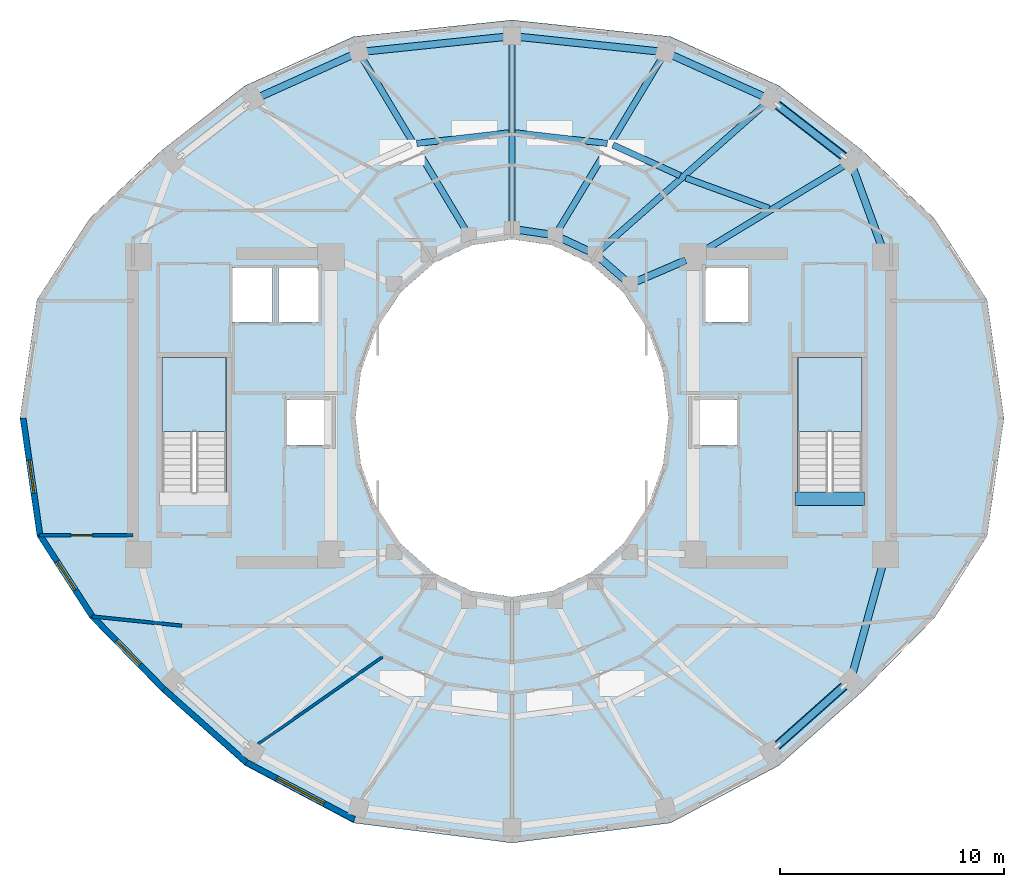
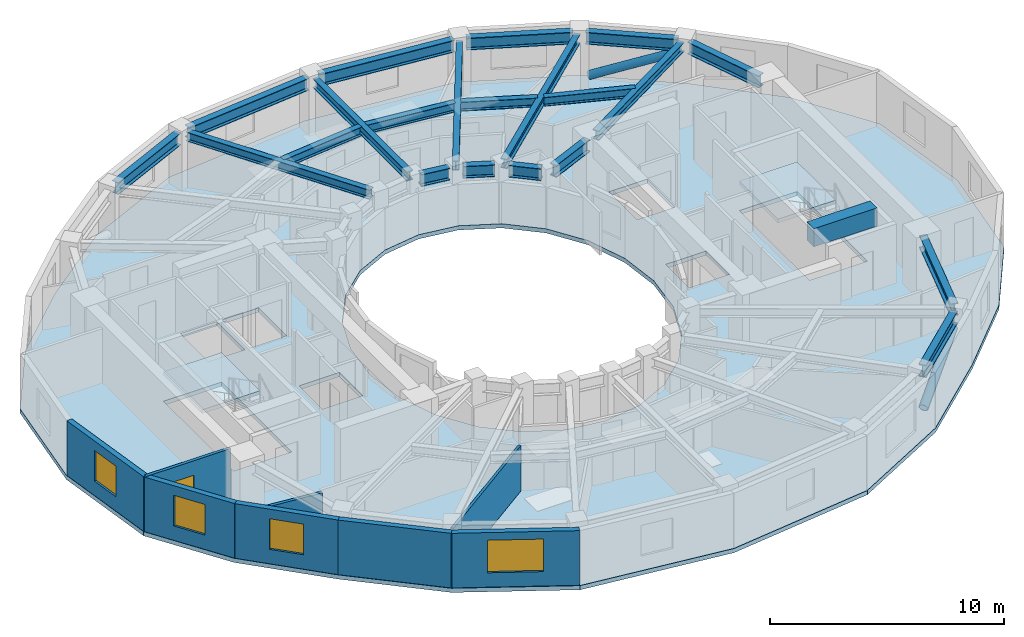
# One storey, part 2 of 9: 22 beams, 8 walls, 4 windows, 3 slabs, 2 members, 1 door, 5 openings, 2 elements without a shape of their own.
"""IFC4 building model written with IfcOpenShell, lengths in metres."""

from ifc_helpers import new_model, si_unit, direction, frame, frame_2d, origin, origin_2d, place, context, subcontext, project, spatial, polyline, rectangle, hollow_circle, i_section, outline, extrude, material, layer, layer_set, material_profile, profile_set, type_object, element, fill, aggregate, save


model = new_model("IFC4")

# Units and contexts
model_context = context("Model", 3, precision=1e-05, world=origin(), true_north=direction((0.0, 1.0)))
body_context = subcontext(model_context, "Body", "Model", "MODEL_VIEW")
ifc_project = project(units=[si_unit("LENGTHUNIT", "METRE"), si_unit("AREAUNIT", "SQUARE_METRE"), si_unit("VOLUMEUNIT", "CUBIC_METRE"), si_unit("PLANEANGLEUNIT", "RADIAN"), si_unit("MASSUNIT", "GRAM", prefix="KILO")], contexts=[model_context])

# Site, building, storey
site_placement = place(None, origin())
site = spatial("IfcSite", under=ifc_project, at=site_placement, CompositionType="ELEMENT")
building_placement = place(site_placement, origin())
building = spatial("IfcBuilding", under=site, at=building_placement, Name="Solvane Sanctuary Tower", CompositionType="ELEMENT")
storey_placement = place(building_placement, frame((0.0, 0.0, 232.60009765625)))
storey = spatial("IfcBuildingStorey", under=building, at=storey_placement, Name="L71", CompositionType="ELEMENT", Elevation=232.60009765625)

# Beams
ifc_material_1 = material(Name="Concrete C70/85", Category="concrete")
ifc_material_profile_1 = material_profile(ifc_material_1, rectangle(XDim=0.60009765625, YDim=0.949951171875, at=origin_2d()), Name="RC600X950")
ifc_profile_set_1 = profile_set([ifc_material_profile_1], Name="Concrete C70/85")
beam_type_1 = type_object("IfcBeamType", Name="Beam B-COUPLE RC600X950", PredefinedType="LINTEL", material=ifc_profile_set_1)
beam_1_placement = place(storey_placement, frame((44.64990234375, 19.399169921875, 2.625), z_axis=(1.0, 0.0, 0.0), x_axis=(0.0, 1.0, 0.0)))
element("IfcBeam", 1, at=beam_1_placement, inside=storey, type_object=beam_type_1, Name="L71 ST-2 Stair Floor Landing Trimmer", PredefinedType="LINTEL", context=body_context, shape_type="SweptSolid", body=[
    extrude(rectangle(XDim=0.60009765625, YDim=0.949951171875, at=origin_2d()), origin(), (0.0, 0.0, 1.0), 3.1201171875),
])
ifc_material_2 = material(Name="Steel ASTM A992 Grade 50", Category="steel")
ifc_material_profile_2 = material_profile(ifc_material_2, i_section(OverallWidth=0.282958984375, OverallDepth=0.471923828125, WebThickness=0.013671875, FlangeThickness=0.022216796875, FilletRadius=0.013916015625, at=origin_2d()), Name="W18X97")
ifc_profile_set_2 = profile_set([ifc_material_profile_2], Name="Steel ASTM A992 Grade 50")
beam_type_2 = type_object("IfcBeamType", Name="Beam B-RAD-Z4 W18X97", PredefinedType="JOIST", material=ifc_profile_set_2)
beam_2_placement = place(storey_placement, frame((40.407958984375, 30.38623046875, 2.641845703125), z_axis=(0.855612120123, 0.517617522789, 0.0), x_axis=(-0.517617522789, 0.855612120123, 0.0)))
element("IfcBeam", 2, at=beam_2_placement, inside=storey, type_object=beam_type_2, Name="L71 Radial Composite Floor Beam 01", PredefinedType="JOIST", context=body_context, shape_type="SweptSolid", body=[
    extrude(i_section(OverallWidth=0.282958984375, OverallDepth=0.471923828125, WebThickness=0.013671875, FlangeThickness=0.022216796875, FilletRadius=0.013916015625, at=origin_2d()), origin(), (0.0, 0.0, 1.0), 7.59375),
])
beam_3_placement = place(storey_placement, frame((35.939697265625, 30.511962890625, 2.641845703125), z_axis=(0.749352461353, 0.662171343886, 0.0), x_axis=(-0.662171343886, 0.749352461353, 0.0)))
element("IfcBeam", 3, at=beam_3_placement, inside=storey, type_object=beam_type_2, Name="L71 Radial Composite Floor Beam 02", PredefinedType="JOIST", context=body_context, shape_type="SweptSolid", body=[
    extrude(i_section(OverallWidth=0.282958984375, OverallDepth=0.471923828125, WebThickness=0.013671875, FlangeThickness=0.022216796875, FilletRadius=0.013916015625, at=origin_2d()), origin(), (0.0, 0.0, 1.0), 9.882568359375),
])
beam_4_placement = place(storey_placement, frame((34.0751953125, 31.41162109375, 2.641845703125), z_axis=(0.515337473432, 0.85698733274, 0.0), x_axis=(-0.85698733274, 0.515337473432, 0.0)))
element("IfcBeam", 4, at=beam_4_placement, inside=storey, type_object=beam_type_2, Name="L71 Radial Composite Floor Beam 03", PredefinedType="JOIST", context=body_context, shape_type="SweptSolid", body=[
    extrude(i_section(OverallWidth=0.282958984375, OverallDepth=0.471923828125, WebThickness=0.013671875, FlangeThickness=0.022216796875, FilletRadius=0.013916015625, at=origin_2d()), origin(), (0.0, 0.0, 1.0), 8.99755859375),
])
beam_5_placement = place(storey_placement, frame((32.0, 31.739990234375, 2.641845703125), z_axis=(0.0, 1.0, 0.0), x_axis=(-1.0, 0.0, 0.0)))
element("IfcBeam", 5, at=beam_5_placement, inside=storey, type_object=beam_type_2, Name="L71 Radial Composite Floor Beam 04", PredefinedType="JOIST", context=body_context, shape_type="SweptSolid", body=[
    extrude(i_section(OverallWidth=0.282958984375, OverallDepth=0.471923828125, WebThickness=0.013671875, FlangeThickness=0.022216796875, FilletRadius=0.013916015625, at=origin_2d()), origin(), (0.0, 0.0, 1.0), 8.06005859375),
])
beam_6_placement = place(storey_placement, frame((29.9248046875, 31.41162109375, 2.641845703125), z_axis=(-0.515337473432, 0.85698733274, 0.0), x_axis=(-0.85698733274, -0.515337473432, 0.0)))
element("IfcBeam", 6, at=beam_6_placement, inside=storey, type_object=beam_type_2, Name="L71 Radial Composite Floor Beam 05", PredefinedType="JOIST", context=body_context, shape_type="SweptSolid", body=[
    extrude(i_section(OverallWidth=0.282958984375, OverallDepth=0.471923828125, WebThickness=0.013671875, FlangeThickness=0.022216796875, FilletRadius=0.013916015625, at=origin_2d()), origin(), (0.0, 0.0, 1.0), 8.99755859375),
])
ifc_material_profile_3 = material_profile(ifc_material_2, i_section(OverallWidth=0.324951171875, OverallDepth=0.615966796875, WebThickness=0.013916015625, FlangeThickness=0.021484375, FilletRadius=0.01611328125, at=origin_2d()), Name="W24X117")
ifc_profile_set_3 = profile_set([ifc_material_profile_3], Name="Steel ASTM A992 Grade 50")
beam_type_3 = type_object("IfcBeamType", Name="Beam B-RING-IN2 W24X117", PredefinedType="BEAM", material=ifc_profile_set_3)
beam_7_placement = place(storey_placement, frame((32.31640625, 31.41259765625, 2.56982421875), z_axis=(0.989056121481, -0.147539786368, 0.0), x_axis=(0.147539786368, 0.989056121481, 0.0)))
element("IfcBeam", 7, at=beam_7_placement, inside=storey, type_object=beam_type_3, Name="L71 Inner Light-Well Ring Beam IC04-IC03", PredefinedType="BEAM", context=body_context, shape_type="SweptSolid", body=[
    extrude(i_section(OverallWidth=0.324951171875, OverallDepth=0.615966796875, WebThickness=0.013916015625, FlangeThickness=0.021484375, FilletRadius=0.01611328125, at=origin_2d()), origin(), (0.0, 0.0, 1.0), 1.312255859375),
])
beam_8_placement = place(storey_placement, frame((34.220458984375, 31.03564453125, 2.56982421875), z_axis=(0.905134542189, -0.425125229241, 0.0), x_axis=(0.425125229241, 0.905134542189, 0.0)))
element("IfcBeam", 8, at=beam_8_placement, inside=storey, type_object=beam_type_3, Name="L71 Inner Light-Well Ring Beam IC03-IC02", PredefinedType="BEAM", context=body_context, shape_type="SweptSolid", body=[
    extrude(i_section(OverallWidth=0.324951171875, OverallDepth=0.615966796875, WebThickness=0.013916015625, FlangeThickness=0.021484375, FilletRadius=0.01611328125, at=origin_2d()), origin(), (0.0, 0.0, 1.0), 1.347900390625),
])
beam_9_placement = place(storey_placement, frame((35.971435546875, 30.116455078125, 2.56982421875), z_axis=(0.754388985763, -0.656427648839, 0.0), x_axis=(0.656427648839, 0.754388985763, 0.0)))
element("IfcBeam", 9, at=beam_9_placement, inside=storey, type_object=beam_type_3, Name="L71 Inner Light-Well Ring Beam IC02-IC01", PredefinedType="BEAM", context=body_context, shape_type="SweptSolid", body=[
    extrude(i_section(OverallWidth=0.324951171875, OverallDepth=0.615966796875, WebThickness=0.013916015625, FlangeThickness=0.021484375, FilletRadius=0.01611328125, at=origin_2d()), origin(), (0.0, 0.0, 1.0), 1.408203125),
])
beam_10_placement = place(storey_placement, frame((37.56884765625, 29.10888671875, 2.56982421875), z_axis=(0.918283854026, 0.395922673554, 0.0), x_axis=(-0.395922673554, 0.918283854026, 0.0)))
element("IfcBeam", 10, at=beam_10_placement, inside=storey, type_object=beam_type_3, Name="L71 Inner Light-Well Ring Beam IC01-CE4", PredefinedType="BEAM", context=body_context, shape_type="SweptSolid", body=[
    extrude(i_section(OverallWidth=0.324951171875, OverallDepth=0.615966796875, WebThickness=0.013916015625, FlangeThickness=0.021484375, FilletRadius=0.01611328125, at=origin_2d()), origin(), (0.0, 0.0, 1.0), 2.396240234375),
])
ifc_material_profile_4 = material_profile(ifc_material_2, i_section(OverallWidth=0.280029296875, OverallDepth=0.462890625, WebThickness=0.0107421875, FlangeThickness=0.017333984375, FilletRadius=0.013916015625, at=origin_2d()), Name="W18X76")
ifc_profile_set_4 = profile_set([ifc_material_profile_4], Name="Steel ASTM A992 Grade 50")
beam_type_4 = type_object("IfcBeamType", Name="Beam B-SEC-JOIST W18X76", PredefinedType="JOIST", material=ifc_profile_set_4)
for number, where, z_axis, x_axis, name in (
    (11, (27.7421875, 35.282470703125, 2.646484375), (0.993510844231, 0.113737427415, 0.0), (-0.113737427415, 0.993510844231, 0.0), "L71 Secondary Circumferential Joist 05-04"),
    (12, (32.135498046875, 35.75439453125, 2.646484375), (0.993510844231, -0.113737427415, 0.0), (0.113737427415, 0.993510844231, 0.0), "L71 Secondary Circumferential Joist 04-03"),
):
    element("IfcBeam", number, at=place(storey_placement, frame(where, z_axis=z_axis, x_axis=x_axis)), inside=storey, type_object=beam_type_4, Name=name, PredefinedType="JOIST", context=body_context, shape_type="SweptSolid", body=[
        extrude(i_section(OverallWidth=0.280029296875, OverallDepth=0.462890625, WebThickness=0.0107421875, FlangeThickness=0.017333984375, FilletRadius=0.013916015625, at=origin_2d()), origin(), (0.0, 0.0, 1.0), 4.149169921875),
    ])
beam_11_placement = place(storey_placement, frame((36.517578125, 35.210205078125, 2.646484375), z_axis=(0.909746959611, -0.415163184156, 0.0), x_axis=(0.415163184156, 0.909746959611, 0.0)))
element("IfcBeam", 13, at=beam_11_placement, inside=storey, type_object=beam_type_4, Name="L71 Secondary Circumferential Joist 03-02", PredefinedType="JOIST", context=body_context, shape_type="SweptSolid", body=[
    extrude(i_section(OverallWidth=0.280029296875, OverallDepth=0.462890625, WebThickness=0.0107421875, FlangeThickness=0.017333984375, FilletRadius=0.013916015625, at=origin_2d()), origin(), (0.0, 0.0, 1.0), 3.29833984375),
])
beam_12_placement = place(storey_placement, frame((39.770751953125, 33.7373046875, 2.646484375), z_axis=(0.939341257695, -0.342983966962, 0.0), x_axis=(0.342983966962, 0.939341257695, 0.0)))
element("IfcBeam", 14, at=beam_12_placement, inside=storey, type_object=beam_type_4, Name="L71 Secondary Circumferential Joist 02-01", PredefinedType="JOIST", context=body_context, shape_type="SweptSolid", body=[
    extrude(i_section(OverallWidth=0.280029296875, OverallDepth=0.462890625, WebThickness=0.0107421875, FlangeThickness=0.017333984375, FilletRadius=0.013916015625, at=origin_2d()), origin(), (0.0, 0.0, 1.0), 3.964111328125),
])
ifc_material_profile_5 = material_profile(ifc_material_2, i_section(OverallWidth=0.327880859375, OverallDepth=0.6279296875, WebThickness=0.0166015625, FlangeThickness=0.027587890625, FilletRadius=0.01611328125, at=origin_2d()), Name="W24X146")
ifc_profile_set_5 = profile_set([ifc_material_profile_5], Name="Steel ASTM A992 Grade 50")
beam_type_5 = type_object("IfcBeamType", Name="Beam B-SPAND-Z3 W24X146", PredefinedType="SPANDREL", material=ifc_profile_set_5)
beam_13_placement = place(storey_placement, frame((20.7001953125, 37.356689453125, 2.56396484375), z_axis=(0.911467646952, 0.411371764418, 0.0), x_axis=(-0.411371764418, 0.911467646952, 0.0)))
element("IfcBeam", 15, at=beam_13_placement, inside=storey, type_object=beam_type_5, Name="L71 Perimeter Spandrel Beam TC06-TC05", PredefinedType="SPANDREL", context=body_context, shape_type="SweptSolid", body=[
    extrude(i_section(OverallWidth=0.327880859375, OverallDepth=0.6279296875, WebThickness=0.0166015625, FlangeThickness=0.027587890625, FilletRadius=0.01611328125, at=origin_2d()), origin(), (0.0, 0.0, 1.0), 4.59521484375),
])
for number, where, z_axis, x_axis, name in (
    (16, (25.42236328125, 39.391357421875, 2.56396484375), (0.994565065885, 0.10411690411, 0.0), (-0.10411690411, 0.994565065885, 0.0), "L71 Perimeter Spandrel Beam TC05-TC04"),
    (17, (32.278564453125, 40.05078125, 2.56396484375), (0.994565065885, -0.10411690411, 0.0), (0.10411690411, 0.994565065885, 0.0), "L71 Perimeter Spandrel Beam TC04-TC03"),
):
    element("IfcBeam", number, at=place(storey_placement, frame(where, z_axis=z_axis, x_axis=x_axis)), inside=storey, type_object=beam_type_5, Name=name, PredefinedType="SPANDREL", context=body_context, shape_type="SweptSolid", body=[
        extrude(i_section(OverallWidth=0.327880859375, OverallDepth=0.6279296875, WebThickness=0.0166015625, FlangeThickness=0.027587890625, FilletRadius=0.01611328125, at=origin_2d()), origin(), (0.0, 0.0, 1.0), 6.33349609375),
    ])
beam_14_placement = place(storey_placement, frame((39.111328125, 39.2470703125, 2.56396484375), z_axis=(0.911467646952, -0.411371764418, 0.0), x_axis=(0.411371764418, 0.911467646952, 0.0)))
element("IfcBeam", 18, at=beam_14_placement, inside=storey, type_object=beam_type_5, Name="L71 Perimeter Spandrel Beam TC03-TC02", PredefinedType="SPANDREL", context=body_context, shape_type="SweptSolid", body=[
    extrude(i_section(OverallWidth=0.327880859375, OverallDepth=0.6279296875, WebThickness=0.0166015625, FlangeThickness=0.027587890625, FilletRadius=0.01611328125, at=origin_2d()), origin(), (0.0, 0.0, 1.0), 4.59521484375),
])
beam_15_placement = place(storey_placement, frame((43.776611328125, 37.070068359375, 2.56396484375), z_axis=(0.79064516309, -0.612274632891, 0.0), x_axis=(0.612274632891, 0.79064516309, 0.0)))
element("IfcBeam", 19, at=beam_15_placement, inside=storey, type_object=beam_type_5, Name="L71 Perimeter Spandrel Beam TC02-TC01", PredefinedType="SPANDREL", context=body_context, shape_type="SweptSolid", body=[
    extrude(i_section(OverallWidth=0.327880859375, OverallDepth=0.6279296875, WebThickness=0.0166015625, FlangeThickness=0.027587890625, FilletRadius=0.01611328125, at=origin_2d()), origin(), (0.0, 0.0, 1.0), 3.980224609375),
])
beam_16_placement = place(storey_placement, frame((47.240966796875, 34.19873046875, 2.56396484375), z_axis=(0.34275337431, -0.939425422478, 0.0), x_axis=(0.939425422478, 0.34275337431, 0.0)))
element("IfcBeam", 20, at=beam_16_placement, inside=storey, type_object=beam_type_5, Name="L71 Perimeter Spandrel Beam TC01-CE3", PredefinedType="SPANDREL", context=body_context, shape_type="SweptSolid", body=[
    extrude(i_section(OverallWidth=0.327880859375, OverallDepth=0.6279296875, WebThickness=0.0166015625, FlangeThickness=0.027587890625, FilletRadius=0.01611328125, at=origin_2d()), origin(), (0.0, 0.0, 1.0), 3.976806640625),
])
beam_17_placement = place(storey_placement, frame((43.764404296875, 8.272216796875, 2.56396484375), z_axis=(0.747199825189, 0.664599444205, 0.0), x_axis=(-0.664599444205, 0.747199825189, 0.0)))
element("IfcBeam", 21, at=beam_17_placement, inside=storey, type_object=beam_type_5, Name="L71 Perimeter Spandrel Beam TC13-TC14", PredefinedType="SPANDREL", context=body_context, shape_type="SweptSolid", body=[
    extrude(i_section(OverallWidth=0.327880859375, OverallDepth=0.6279296875, WebThickness=0.0166015625, FlangeThickness=0.027587890625, FilletRadius=0.01611328125, at=origin_2d()), origin(), (0.0, 0.0, 1.0), 4.244384765625),
])
beam_18_placement = place(storey_placement, frame((47.219482421875, 11.549072265625, 2.56396484375), z_axis=(0.266650123869, 0.963793396658, 0.0), x_axis=(-0.963793396658, 0.266650123869, 0.0)))
element("IfcBeam", 22, at=beam_18_placement, inside=storey, type_object=beam_type_5, Name="L71 Perimeter Spandrel Beam TC14-CE2", PredefinedType="SPANDREL", context=body_context, shape_type="SweptSolid", body=[
    extrude(i_section(OverallWidth=0.327880859375, OverallDepth=0.6279296875, WebThickness=0.0166015625, FlangeThickness=0.027587890625, FilletRadius=0.01611328125, at=origin_2d()), origin(), (0.0, 0.0, 1.0), 5.27197265625),
])

# Members
ifc_material_profile_6 = material_profile(ifc_material_2, hollow_circle(Radius=0.202880859375, WallThickness=0.012451171875, at=origin_2d()), Name="CHS406X12.5")
ifc_profile_set_6 = profile_set([ifc_material_profile_6], Name="Steel ASTM A992 Grade 50")
member_type = type_object("IfcMemberType", Name="Member M-TUBE-Z3 CHS406X12.5", PredefinedType="BRACE", material=ifc_profile_set_6)
member_1_placement = place(storey_placement, frame((43.881591796875, 36.988525390625, 0.550048828125), z_axis=(0.731090089768, -0.566107162853, 0.380827993731), x_axis=(0.612242116954, 0.790670342322, 0.0)))
element("IfcMember", 23, at=member_1_placement, inside=storey, type_object=member_type, Name="L71 Perimeter Braced-Tube Diagonal NE", PredefinedType="BRACE", context=body_context, shape_type="SweptSolid", body=[
    extrude(hollow_circle(Radius=0.202880859375, WallThickness=0.012451171875, at=origin_2d()), origin(), (0.0, 0.0, 1.0), 4.017578125),
])
member_2_placement = place(storey_placement, frame((43.8671875, 8.36376953125, 0.54248046875), z_axis=(0.69629863571, 0.619345335379, 0.362738977025), x_axis=(-0.664611503375, 0.747189098945, 0.0)))
element("IfcMember", 24, at=member_2_placement, inside=storey, type_object=member_type, Name="L71 Perimeter Braced-Tube Diagonal SE", PredefinedType="BRACE", context=body_context, shape_type="SweptSolid", body=[
    extrude(hollow_circle(Radius=0.202880859375, WallThickness=0.012451171875, at=origin_2d()), origin(), (0.0, 0.0, 1.0), 4.26708984375),
])

# Stair, slab
ifc_material_3 = material(Name="Concrete C45/55", Category="concrete")
stair_type = type_object("IfcStairType", Name="Stair ST-TOW", PredefinedType="HALF_TURN_STAIR", material=ifc_material_3)
stair_1_placement = place(storey_placement, origin())
stair_1 = element("IfcStair", 25, at=stair_1_placement, inside=storey, type_object=stair_type, Name="L71 Exit Stair ST-1 West Core", PredefinedType="HALF_TURN_STAIR")
ifc_layer_1 = layer(ifc_material_3, 0.199951171875, Name="Concrete C45/55")
ifc_layer_set_1 = layer_set([ifc_layer_1], Name="Concrete C45/55")
slab_type_1 = type_object("IfcSlabType", Name="Slab SL-LAND-180", PredefinedType="LANDING", material=ifc_layer_set_1)
slab_1_placement = place(storey_placement, frame((0.0, 0.0, 1.349853515625)))
slab_1 = element("IfcSlab", 26, at=slab_1_placement, type_object=slab_type_1, Name="ST-1 landing 1", PredefinedType="LANDING", context=body_context, shape_type="SweptSolid", body=[
    extrude(outline(polyline([(19.219970703125, 22.39990234375), (19.219970703125, 25.699951171875), (16.360107421875, 25.699951171875), (16.360107421875, 22.39990234375), (19.219970703125, 22.39990234375)])), origin(), (0.0, 0.0, 1.0), 0.199951171875),
])
aggregate(stair_1, [slab_1])

stair_2_placement = place(storey_placement, origin())
stair_2 = element("IfcStair", 27, at=stair_2_placement, inside=storey, type_object=stair_type, Name="L71 Exit Stair ST-2 East Core", PredefinedType="HALF_TURN_STAIR")
slab_2_placement = place(storey_placement, frame((0.0, 0.0, 1.349853515625)))
slab_2 = element("IfcSlab", 28, at=slab_2_placement, type_object=slab_type_1, Name="ST-2 landing 1", PredefinedType="LANDING", context=body_context, shape_type="SweptSolid", body=[
    extrude(outline(polyline([(47.639892578125, 22.39990234375), (47.639892578125, 25.699951171875), (44.780029296875, 25.699951171875), (44.780029296875, 22.39990234375), (47.639892578125, 22.39990234375)])), origin(), (0.0, 0.0, 1.0), 0.199951171875),
])
aggregate(stair_2, [slab_2])

# Slab
ifc_layer_2 = layer(ifc_material_3, 0.219970703125, Name="Concrete C45/55")
ifc_layer_set_2 = layer_set([ifc_layer_2], Name="Concrete C45/55")
slab_type_2 = type_object("IfcSlabType", Name="Slab SL-TOW-220", PredefinedType="FLOOR", material=ifc_layer_set_2)
slab_3_placement = place(storey_placement, frame((0.0, 0.0, -0.22021484375)))
element("IfcSlab", 29, at=slab_3_placement, inside=storey, type_object=slab_type_2, Name="L71 Primary Structural Slab", PredefinedType="FLOOR", context=body_context, shape_type="SweptSolid", body=[
    extrude(outline(polyline([(54.0, 23.0), (53.239990234375, 28.283935546875), (50.881103515625, 31.925537109375), (47.6572265625, 34.97412109375), (43.946044921875, 37.859375), (39.088134765625, 40.057373046875), (32.0, 40.800048828125), (24.911865234375, 40.057373046875), (20.053955078125, 37.859375), (16.3427734375, 34.97412109375), (13.118896484375, 31.925537109375), (10.760009765625, 28.283935546875), (10.0, 23.0), (10.760009765625, 17.716064453125), (13.118896484375, 14.056884765625), (16.3427734375, 10.7666015625), (20.053955078125, 7.46826171875), (24.911865234375, 4.8935546875), (32.0, 4.0), (39.088134765625, 4.8935546875), (43.946044921875, 7.46826171875), (47.6572265625, 10.7666015625), (50.881103515625, 14.056884765625), (53.239990234375, 17.716064453125), (54.0, 23.0)]), holes=[polyline([(38.761474609375, 20.929443359375), (38.062255859375, 19.0), (36.94970703125, 17.343017578125), (35.5, 16.07177734375), (33.811767578125, 15.272705078125), (32.0, 15.0), (30.188232421875, 15.272705078125), (28.5, 16.07177734375), (27.05029296875, 17.343017578125), (25.937744140625, 19.0), (25.238525390625, 20.929443359375), (25.0, 23.0), (25.238525390625, 25.070556640625), (25.937744140625, 27.0), (27.05029296875, 28.656982421875), (28.5, 29.92822265625), (30.188232421875, 30.727294921875), (32.0, 31.0), (33.811767578125, 30.727294921875), (35.5, 29.92822265625), (36.94970703125, 28.656982421875), (38.062255859375, 27.0), (38.761474609375, 25.070556640625), (39.0, 23.0), (38.761474609375, 20.929443359375)]), polyline([(16.360107421875, 19.699951171875), (16.360107421875, 25.699951171875), (19.219970703125, 25.699951171875), (19.219970703125, 19.699951171875), (16.360107421875, 19.699951171875)]), polyline([(44.780029296875, 19.699951171875), (44.780029296875, 25.699951171875), (47.639892578125, 25.699951171875), (47.639892578125, 19.699951171875), (44.780029296875, 19.699951171875)]), polyline([(21.949951171875, 23.800048828125), (23.949951171875, 23.800048828125), (23.949951171875, 21.800048828125), (21.949951171875, 21.800048828125), (21.949951171875, 23.800048828125)]), polyline([(40.050048828125, 23.800048828125), (42.050048828125, 23.800048828125), (42.050048828125, 21.800048828125), (40.050048828125, 21.800048828125), (40.050048828125, 23.800048828125)]), polyline([(19.5, 29.699951171875), (21.300048828125, 29.699951171875), (21.300048828125, 27.300048828125), (19.5, 27.300048828125), (19.5, 29.699951171875)]), polyline([(21.550048828125, 29.699951171875), (23.35009765625, 29.699951171875), (23.35009765625, 27.300048828125), (21.550048828125, 27.300048828125), (21.550048828125, 29.699951171875)]), polyline([(40.64990234375, 29.699951171875), (42.550048828125, 29.699951171875), (42.550048828125, 27.300048828125), (40.64990234375, 27.300048828125), (40.64990234375, 29.699951171875)])]), origin(), (0.0, 0.0, 1.0), 0.22021484375),
])

# Wall, opening, door
ifc_material_4 = material(Name="Acoustic Gypsum Partition Board")
ifc_layer_3 = layer(ifc_material_4, 0.14990234375, Name="Acoustic Gypsum Partition Board")
ifc_layer_set_3 = layer_set([ifc_layer_3], Name="Acoustic Gypsum Partition Board")
wall_type_1 = type_object("IfcWallType", Name="Wall W-CORR-150", PredefinedType="PARTITIONING", material=ifc_layer_set_3)
wall_1_placement = place(storey_placement, frame((10.87548828125, 17.754638671875, 0.0), z_axis=(0.0, 0.0, 1.0), x_axis=(1.0, 0.0, 0.0)))
wall_1 = element("IfcWall", 30, at=wall_1_placement, inside=storey, type_object=wall_type_1, Name="L71 West Shoulder South Wall", PredefinedType="PARTITIONING", context=body_context, shape_type="SweptSolid", body=[
    extrude(rectangle(XDim=4.174560546875, YDim=0.14990234375, at=frame_2d((2.08740234375, 0.0))), origin(), (0.0, 0.0, 1.0), 2.85498046875),
])
opening_1_placement = place(wall_1_placement, frame((1.407470703125, 0.0, 0.0)))
opening_1 = element("IfcOpeningElement", 31, at=opening_1_placement, cuts=wall_1, Name="Opening D-L71-14", PredefinedType="OPENING", context=body_context, shape_type="SweptSolid", body=[
    extrude(rectangle(XDim=0.949951171875, YDim=2.10009765625, at=frame_2d((0.47509765625, 1.050048828125))), frame((0.0, 0.0849609375, 0.0), z_axis=(0.0, -1.0, 0.0), x_axis=(1.0, 0.0, 0.0)), (0.0, 0.0, 1.0), 0.169921875),
])
ifc_material_5 = material(Name="Engineered Tropical Hardwood", Category="wood")
door_type = type_object("IfcDoorType", Name="Door D-ROOM-950", OperationType="NOTDEFINED", PredefinedType="DOOR", material=ifc_material_5)
door_placement = place(opening_1_placement, origin())
door = element("IfcDoor", 32, at=door_placement, inside=storey, type_object=door_type, Name="L71 West Shoulder South Door", OperationType="SINGLE_SWING_LEFT", OverallHeight=2.10009765625, OverallWidth=0.949951171875, PredefinedType="DOOR", context=body_context, shape_type="SweptSolid", body=[
    extrude(rectangle(XDim=0.949951171875, YDim=2.10009765625, at=frame_2d((0.47509765625, 1.050048828125))), frame((0.0, 0.02490234375, 0.0), z_axis=(0.0, -1.0, 0.0), x_axis=(1.0, 0.0, 0.0)), (0.0, 0.0, 1.0), 0.050048828125),
])
fill(opening_1, door)

# Wall
wall_2_placement = place(storey_placement, frame((17.249755859375, 13.71484375, 0.0), z_axis=(0.0, 0.0, 1.0), x_axis=(-0.994734711466, 0.102483431859, 0.0)))
element("IfcWall", 33, at=wall_2_placement, inside=storey, type_object=wall_type_1, Name="L71 SW Corner Wing Wall", PredefinedType="PARTITIONING", context=body_context, shape_type="SweptSolid", body=[
    extrude(rectangle(XDim=4.04736328125, YDim=0.14990234375, at=frame_2d((2.023681640625, 0.0))), origin(), (0.0, 0.0, 1.0), 2.219970703125),
])

# Wall, opening, window
ifc_material_6 = material(Name="Precast concrete C40/50", Category="concrete")
ifc_layer_4 = layer(ifc_material_6, 0.260009765625, Name="Precast concrete C40/50")
ifc_layer_set_4 = layer_set([ifc_layer_4], Name="Precast concrete C40/50")
wall_type_2 = type_object("IfcWallType", Name="Wall W-EXT-250", PredefinedType="STANDARD", material=ifc_layer_set_4)
wall_3_placement = place(storey_placement, frame((10.139892578125, 23.0, 0.0), z_axis=(0.0, 0.0, 1.0), x_axis=(0.142712754019, -0.989764148593, 0.0)))
wall_3 = element("IfcWall", 34, at=wall_3_placement, inside=storey, type_object=wall_type_2, Name="L71 Ceramic-Printed Facade Wall 12", PredefinedType="STANDARD", context=body_context, shape_type="SweptSolid", body=[
    extrude(rectangle(XDim=5.29296875, YDim=0.260009765625, at=frame_2d((2.646484375, 0.0))), origin(), (0.0, 0.0, 1.0), 2.849853515625),
])
opening_2_placement = place(wall_3_placement, frame((1.896484375, 0.0, 0.75)))
opening_2 = element("IfcOpeningElement", 35, at=opening_2_placement, cuts=wall_3, Name="Opening WN-OPER-1500", PredefinedType="OPENING", context=body_context, shape_type="SweptSolid", body=[
    extrude(rectangle(XDim=1.5, YDim=1.60009765625, at=frame_2d((0.75, 0.800048828125))), frame((0.0, 0.139892578125, 0.0), z_axis=(0.0, -1.0, 0.0), x_axis=(1.0, 0.0, 0.0)), (0.0, 0.0, 1.0), 0.280029296875),
])
ifc_material_7 = material(Name="Dark Ceramic-Fritted Low-E Glass", Category="glass")
window_type_1 = type_object("IfcWindowType", Name="Window WN-OPER-1500", PartitioningType="SINGLE_PANEL", PredefinedType="WINDOW", material=ifc_material_7)
window_1_placement = place(opening_2_placement, origin())
window_1 = element("IfcWindow", 36, at=window_1_placement, inside=storey, type_object=window_type_1, Name="L71 Operable Facade Window 12", OverallHeight=1.60009765625, OverallWidth=1.5, PartitioningType="SINGLE_PANEL", PredefinedType="WINDOW", context=body_context, shape_type="SweptSolid", body=[
    extrude(rectangle(XDim=1.5, YDim=1.60009765625, at=frame_2d((0.75, 0.800048828125))), frame((0.0, 0.030029296875, 0.0), z_axis=(0.0, -1.0, 0.0), x_axis=(1.0, 0.0, 0.0)), (0.0, 0.0, 1.0), 0.06005859375),
])
fill(opening_2, window_1)

wall_4_placement = place(storey_placement, frame((10.895263671875, 17.76123046875, 0.0), z_axis=(0.0, 0.0, 1.0), x_axis=(0.542641766008, -0.839964233634, 0.0)))
wall_4 = element("IfcWall", 37, at=wall_4_placement, inside=storey, type_object=wall_type_2, Name="L71 Ceramic-Printed Facade Wall 13", PredefinedType="STANDARD", context=body_context, shape_type="SweptSolid", body=[
    extrude(rectangle(XDim=4.319091796875, YDim=0.260009765625, at=frame_2d((2.15966796875, 0.0))), origin(), (0.0, 0.0, 1.0), 2.849853515625),
])
opening_3_placement = place(wall_4_placement, frame((1.40966796875, 0.0, 0.75)))
opening_3 = element("IfcOpeningElement", 38, at=opening_3_placement, cuts=wall_4, Name="Opening WN-OPER-1500", PredefinedType="OPENING", context=body_context, shape_type="SweptSolid", body=[
    extrude(rectangle(XDim=1.5, YDim=1.60009765625, at=frame_2d((0.75, 0.800048828125))), frame((0.0, 0.139892578125, 0.0), z_axis=(0.0, -1.0, 0.0), x_axis=(1.0, 0.0, 0.0)), (0.0, 0.0, 1.0), 0.280029296875),
])
window_2_placement = place(opening_3_placement, origin())
window_2 = element("IfcWindow", 39, at=window_2_placement, inside=storey, type_object=window_type_1, Name="L71 Operable Facade Window 13", OverallHeight=1.60009765625, OverallWidth=1.5, PartitioningType="SINGLE_PANEL", PredefinedType="WINDOW", context=body_context, shape_type="SweptSolid", body=[
    extrude(rectangle(XDim=1.5, YDim=1.60009765625, at=frame_2d((0.75, 0.800048828125))), frame((0.0, 0.030029296875, 0.0), z_axis=(0.0, -1.0, 0.0), x_axis=(1.0, 0.0, 0.0)), (0.0, 0.0, 1.0), 0.06005859375),
])
fill(opening_3, window_2)

wall_5_placement = place(storey_placement, frame((13.239013671875, 14.13330078125, 0.0), z_axis=(0.0, 0.0, 1.0), x_axis=(0.700642973333, -0.713512034881, 0.0)))
wall_5 = element("IfcWall", 40, at=wall_5_placement, inside=storey, type_object=wall_type_2, Name="L71 Ceramic-Printed Facade Wall 14", PredefinedType="STANDARD", context=body_context, shape_type="SweptSolid", body=[
    extrude(rectangle(XDim=4.572021484375, YDim=0.260009765625, at=frame_2d((2.2861328125, 0.0))), origin(), (0.0, 0.0, 1.0), 2.849853515625),
])
opening_4_placement = place(wall_5_placement, frame((1.535888671875, 0.0, 0.75)))
opening_4 = element("IfcOpeningElement", 41, at=opening_4_placement, cuts=wall_5, Name="Opening WN-OPER-1500", PredefinedType="OPENING", context=body_context, shape_type="SweptSolid", body=[
    extrude(rectangle(XDim=1.5, YDim=1.60009765625, at=frame_2d((0.75, 0.800048828125))), frame((0.0, 0.139892578125, 0.0), z_axis=(0.0, -1.0, 0.0), x_axis=(1.0, 0.0, 0.0)), (0.0, 0.0, 1.0), 0.280029296875),
])
window_3_placement = place(opening_4_placement, origin())
window_3 = element("IfcWindow", 42, at=window_3_placement, inside=storey, type_object=window_type_1, Name="L71 Operable Facade Window 14", OverallHeight=1.60009765625, OverallWidth=1.5, PartitioningType="SINGLE_PANEL", PredefinedType="WINDOW", context=body_context, shape_type="SweptSolid", body=[
    extrude(rectangle(XDim=1.5, YDim=1.60009765625, at=frame_2d((0.75, 0.800048828125))), frame((0.0, 0.030029296875, 0.0), z_axis=(0.0, -1.0, 0.0), x_axis=(1.0, 0.0, 0.0)), (0.0, 0.0, 1.0), 0.06005859375),
])
fill(opening_4, window_3)

# Wall
wall_6_placement = place(storey_placement, frame((16.4423828125, 10.87109375, 0.0), z_axis=(0.0, 0.0, 1.0), x_axis=(0.748165854006, -0.663511759428, 0.0)))
element("IfcWall", 43, at=wall_6_placement, inside=storey, type_object=wall_type_2, Name="L71 Ceramic-Printed Facade Wall 15", PredefinedType="STANDARD", context=body_context, shape_type="SweptSolid", body=[
    extrude(rectangle(XDim=4.9287109375, YDim=0.260009765625, at=frame_2d((2.46435546875, 0.0))), origin(), (0.0, 0.0, 1.0), 2.849853515625),
])

# Wall, opening, window
wall_7_placement = place(storey_placement, frame((20.1298828125, 7.600830078125, 0.0), z_axis=(0.0, 0.0, 1.0), x_axis=(0.884000981341, -0.46748504253, 0.0)))
wall_7 = element("IfcWall", 44, at=wall_7_placement, inside=storey, type_object=wall_type_2, Name="L71 Ceramic-Printed Facade Wall 16", PredefinedType="STANDARD", context=body_context, shape_type="SweptSolid", body=[
    extrude(rectangle(XDim=5.46044921875, YDim=0.260009765625, at=frame_2d((2.730224609375, 0.0))), origin(), (0.0, 0.0, 1.0), 2.849853515625),
])
opening_5_placement = place(wall_7_placement, frame((1.5302734375, 0.0, 0.75)))
opening_5 = element("IfcOpeningElement", 45, at=opening_5_placement, cuts=wall_7, Name="Opening WN-RIB-2400", PredefinedType="OPENING", context=body_context, shape_type="SweptSolid", body=[
    extrude(rectangle(XDim=2.39990234375, YDim=1.699951171875, at=frame_2d((1.199951171875, 0.85009765625))), frame((0.0, 0.139892578125, 0.0), z_axis=(0.0, -1.0, 0.0), x_axis=(1.0, 0.0, 0.0)), (0.0, 0.0, 1.0), 0.280029296875),
])
window_type_2 = type_object("IfcWindowType", Name="Window WN-RIB-2400", PartitioningType="SINGLE_PANEL", PredefinedType="WINDOW", material=ifc_material_7)
window_4_placement = place(opening_5_placement, origin())
window_4 = element("IfcWindow", 46, at=window_4_placement, inside=storey, type_object=window_type_2, Name="L71 Operable Facade Window 16", OverallHeight=1.699951171875, OverallWidth=2.39990234375, PartitioningType="SINGLE_PANEL", PredefinedType="WINDOW", context=body_context, shape_type="SweptSolid", body=[
    extrude(rectangle(XDim=2.39990234375, YDim=1.699951171875, at=frame_2d((1.199951171875, 0.85009765625))), frame((0.0, 0.030029296875, 0.0), z_axis=(0.0, -1.0, 0.0), x_axis=(1.0, 0.0, 0.0)), (0.0, 0.0, 1.0), 0.06005859375),
])
fill(opening_5, window_4)

# Wall
ifc_layer_5 = layer(ifc_material_4, 0.125, Name="Acoustic Gypsum Partition Board")
ifc_layer_set_5 = layer_set([ifc_layer_5], Name="Acoustic Gypsum Partition Board")
wall_type_3 = type_object("IfcWallType", Name="Wall W-PART-125", PredefinedType="PARTITIONING", material=ifc_layer_set_5)
wall_8_placement = place(storey_placement, frame((26.2060546875, 12.318115234375, 0.0), z_axis=(0.0, 0.0, 1.0), x_axis=(-0.819017716307, -0.573768228796, 0.0)))
element("IfcWall", 47, at=wall_8_placement, inside=storey, type_object=wall_type_3, Name="L71 Radial Compartment Wall 240", PredefinedType="PARTITIONING", context=body_context, shape_type="SweptSolid", body=[
    extrude(rectangle(XDim=6.802001953125, YDim=0.125, at=frame_2d((3.40087890625, 0.0))), origin(), (0.0, 0.0, 1.0), 2.3759765625),
])

save(model, "model.ifc")
